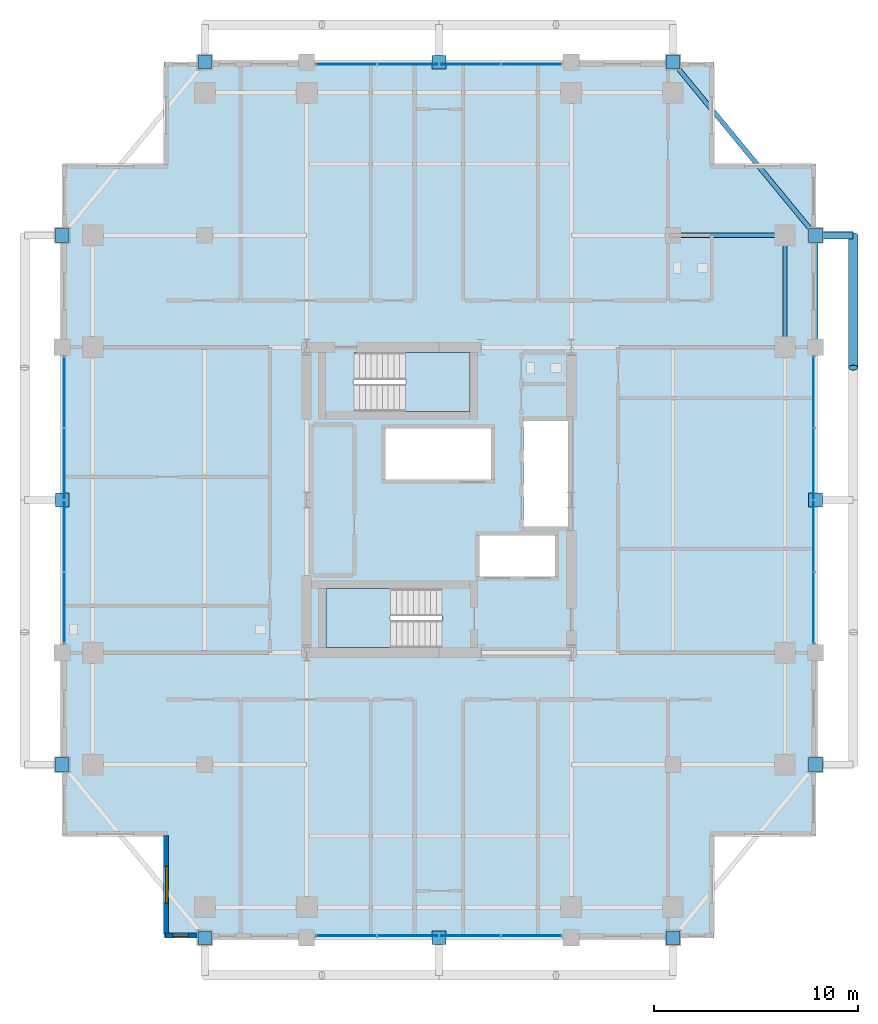
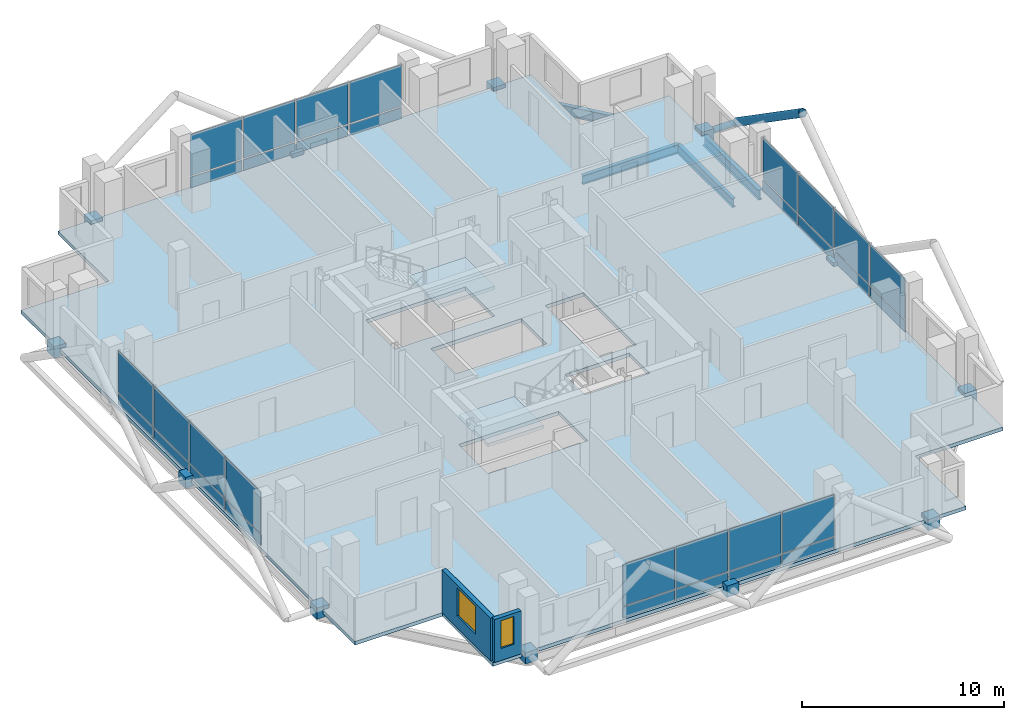
# One storey, part 19 of 25: 44 plates, 4 beams, 3 slabs, 2 members, 2 walls, 2 windows, 2 openings, 6 elements without a shape of their own.
"""IFC4 building model written with IfcOpenShell, lengths in metres."""

import ifcopenshell
import ifcopenshell.guid

model = None  # the IFC model being written
_history = None  # IfcOwnerHistory: only IFC2X3 demands one
_inside = {}  # id of a spatial element -> (the spatial element, [elements in it])
_under = {}  # id of a project, library or spatial element -> (it, [spatial elements below it])
_declared = {}  # id of a project -> (the project, [libraries it declares])
_typed = {}  # id of a type object -> (the type object, [elements of that type])
_made_of = {}  # id of a material, layer set ... -> (it, [elements and type objects made of it])


def new_model(schema):
    """Start an empty IFC model of exactly this schema.

    Asked for "IFC4X3", IfcOpenShell would pick the latest addendum, in which some entities
    have other attributes; the version numbers below select the first issue.
    IFC2X3 requires an IfcOwnerHistory on every rooted entity: one is made here for all.
    """
    global model, _history
    if schema == "IFC4X3":
        model = ifcopenshell.file(schema_version=(4, 3, 0, 0))
    else:
        model = ifcopenshell.file(schema=schema)
    _inside.clear()
    _under.clear()
    _declared.clear()
    _typed.clear()
    _made_of.clear()
    _history = None
    if model.schema == "IFC2X3":
        org = make("IfcOrganization", Name="unknown")
        user = make(
            "IfcPersonAndOrganization",
            ThePerson=make("IfcPerson", FamilyName="unknown"),
            TheOrganization=org,
        )
        app = make(
            "IfcApplication",
            ApplicationDeveloper=org,
            Version="unknown",
            ApplicationFullName="unknown",
            ApplicationIdentifier="unknown",
        )
        _history = make(
            "IfcOwnerHistory",
            OwningUser=user,
            OwningApplication=app,
            ChangeAction="ADDED",
            CreationDate=0,
        )
    return model


def make(cls, **values):
    """One entity of the class cls with the attributes given. An attribute that is None is left unset."""
    return model.create_entity(
        cls, **{name: value for name, value in values.items() if value is not None}
    )


def rooted(cls, **values):
    """An entity with a GlobalId (a new one), such as an element, a storey or a relation."""
    return make(cls, GlobalId=ifcopenshell.guid.new(), OwnerHistory=_history, **values)


def si_unit(unit_type, name, prefix=None):
    """IfcSIUnit, for example si_unit("LENGTHUNIT", "METRE", prefix="MILLI")."""
    return make("IfcSIUnit", UnitType=unit_type, Prefix=prefix, Name=name)


def assignment(units):
    """IfcUnitAssignment: the units of a project."""
    return None if units is None else make("IfcUnitAssignment", Units=units)


def point(xyz):
    """IfcCartesianPoint."""
    return None if xyz is None else make("IfcCartesianPoint", Coordinates=xyz)


def direction(xyz):
    """IfcDirection."""
    return None if xyz is None else make("IfcDirection", DirectionRatios=xyz)


def frame(location, z_axis=None, x_axis=None):
    """IfcAxis2Placement3D, a coordinate frame: its origin and axes. An axis left out is left unset."""
    return make(
        "IfcAxis2Placement3D",
        Location=point(location),
        Axis=direction(z_axis),
        RefDirection=direction(x_axis),
    )


def frame_2d(location, x_axis=None):
    """IfcAxis2Placement2D, a coordinate frame in the plane: its origin and x axis."""
    return make(
        "IfcAxis2Placement2D", Location=point(location), RefDirection=direction(x_axis)
    )


def origin():
    """The frame at (0, 0, 0) with its axes left unset."""
    return frame((0.0, 0.0, 0.0))


def origin_2d():
    """The frame at (0, 0) in the plane with its x axis left unset."""
    return frame_2d((0.0, 0.0))


def place(relative_to, where):
    """IfcLocalPlacement: puts the frame where relative to a parent placement (None: the world)."""
    return make(
        "IfcLocalPlacement", PlacementRelTo=relative_to, RelativePlacement=where
    )


def context(
    kind, dimensions, precision=None, world=None, true_north=None, identifier=None
):
    """IfcGeometricRepresentationContext, for example the 3D "Model" context."""
    return make(
        "IfcGeometricRepresentationContext",
        ContextIdentifier=identifier,
        ContextType=kind,
        CoordinateSpaceDimension=dimensions,
        Precision=precision,
        WorldCoordinateSystem=world,
        TrueNorth=true_north,
    )


def subcontext(parent, identifier, kind, view, scale=None):
    """IfcGeometricRepresentationSubContext, for example "Body" below "Model"."""
    return make(
        "IfcGeometricRepresentationSubContext",
        ContextIdentifier=identifier,
        ContextType=kind,
        ParentContext=parent,
        TargetScale=scale,
        TargetView=view,
    )


def project(units=None, contexts=None):
    """IfcProject with its units and contexts."""
    return rooted(
        "IfcProject",
        Name="project",
        RepresentationContexts=contexts,
        UnitsInContext=assignment(units),
    )


def spatial(cls, under=None, at=None, **own):
    """A site, building, storey or space (cls), placed at a placement, below another one or the project."""
    s = rooted(cls, ObjectPlacement=at, **own)
    if under is not None:
        _under.setdefault(under.id(), (under, []))[1].append(s)
    return s


def polyline(points):
    """IfcPolyline through the points."""
    return make("IfcPolyline", Points=[point(p) for p in points])


def profile(cls, at=None, kind="AREA", **sizes):
    """A parametric profile (cls). Its sizes go by their IFC names, for example OverallWidth=200.0."""
    return make(cls, ProfileType=kind, Position=at, **sizes)


def rectangle(**sizes):
    """IfcRectangleProfileDef."""
    return profile("IfcRectangleProfileDef", **sizes)


def hollow_circle(**sizes):
    """IfcCircleHollowProfileDef."""
    return profile("IfcCircleHollowProfileDef", **sizes)


def i_section(**sizes):
    """IfcIShapeProfileDef."""
    return profile("IfcIShapeProfileDef", **sizes)


def outline(outer, holes=None, kind="AREA"):
    """IfcArbitraryClosedProfileDef: a profile drawn as a closed curve; with holes, ...WithVoids."""
    if holes is None:
        return make("IfcArbitraryClosedProfileDef", ProfileType=kind, OuterCurve=outer)
    return make(
        "IfcArbitraryProfileDefWithVoids",
        ProfileType=kind,
        OuterCurve=outer,
        InnerCurves=holes,
    )


def extrude(swept, where, along, depth):
    """IfcExtrudedAreaSolid: the profile swept, set in the frame where, extruded along a direction by depth."""
    return make(
        "IfcExtrudedAreaSolid",
        SweptArea=swept,
        Position=where,
        ExtrudedDirection=direction(along),
        Depth=depth,
    )


def shape(context_of_items, identifier, shape_type, items):
    """IfcShapeRepresentation: the items that make up one representation, for example the "Body"."""
    return make(
        "IfcShapeRepresentation",
        ContextOfItems=context_of_items,
        RepresentationIdentifier=identifier,
        RepresentationType=shape_type,
        Items=items,
    )


def material(Name=None, Category=None):
    """IfcMaterial."""
    return make("IfcMaterial", Name=Name, Category=Category)


def layer(
    of_material, thickness, ventilated=None, Name=None, Category=None, Priority=None
):
    """IfcMaterialLayer: one layer of a wall or slab, of a material (None: an air gap)."""
    return make(
        "IfcMaterialLayer",
        Material=of_material,
        LayerThickness=thickness,
        IsVentilated=ventilated,
        Name=Name,
        Category=Category,
        Priority=Priority,
    )


def layer_set(layers, Name=None):
    """IfcMaterialLayerSet."""
    return make("IfcMaterialLayerSet", MaterialLayers=layers, LayerSetName=Name)


def material_profile(
    of_material, cross_section, Name=None, Category=None, Priority=None
):
    """IfcMaterialProfile: a cross section and its material."""
    return make(
        "IfcMaterialProfile",
        Name=Name,
        Material=of_material,
        Profile=cross_section,
        Priority=Priority,
        Category=Category,
    )


def profile_set(profiles, Name=None, composite=None):
    """IfcMaterialProfileSet."""
    return make(
        "IfcMaterialProfileSet",
        Name=Name,
        MaterialProfiles=profiles,
        CompositeProfile=composite,
    )


def made_of(thing, what):
    """Note that an element or type object is made of a material, layer set ...; save() writes the relation."""
    if what is not None:
        _made_of.setdefault(what.id(), (what, []))[1].append(thing)
    return thing


def type_object(cls, material=None, **own):
    """A type object (cls), such as IfcWallType, which elements share."""
    return made_of(rooted(cls, **own), material)


def element(
    cls,
    number,
    at=None,
    inside=None,
    cuts=None,
    type_object=None,
    material=None,
    context=None,
    identifier="Body",
    shape_type=None,
    held_by="IfcProductDefinitionShape",
    body=None,
    shapes=None,
    **own,
):
    """One element of the class cls, such as IfcWall. Its Tag is "e" and its number.

    at: its placement. inside: the storey or other place that contains it. cuts: it is an
    opening in that element (IfcRelVoidsElement). A single representation is given by context,
    identifier, shape_type and body (its items); several are given by shapes. held_by: the class
    of the entity that holds the representations. save() writes the other relations.
    """
    e = rooted(cls, Tag="e%d" % number, ObjectPlacement=at, **own)
    if body is not None:
        shapes = [shape(context, identifier, shape_type, body)]
    if shapes is not None:
        e.Representation = make(held_by, Representations=shapes)
    if inside is not None:
        _inside.setdefault(inside.id(), (inside, []))[1].append(e)
    if cuts is not None:
        rooted(
            "IfcRelVoidsElement", RelatingBuildingElement=cuts, RelatedOpeningElement=e
        )
    if type_object is not None:
        _typed.setdefault(type_object.id(), (type_object, []))[1].append(e)
    return made_of(e, material)


def fill(opening, filler):
    """IfcRelFillsElement: the door or window that sits in an opening."""
    return rooted(
        "IfcRelFillsElement",
        RelatingOpeningElement=opening,
        RelatedBuildingElement=filler,
    )


def aggregate(whole, parts):
    """IfcRelAggregates: a whole, such as a stair, and the parts it consists of."""
    return rooted("IfcRelAggregates", RelatingObject=whole, RelatedObjects=parts)


def save(model, path):
    """Write the relations noted so far, then the file.

    IfcRelAggregates (storeys below a building ...), IfcRelContainedInSpatialStructure (elements
    in a storey), IfcRelDefinesByType, IfcRelAssociatesMaterial and IfcRelDeclares: one each for
    every whole, place, type object, material and project.
    """
    for whole, parts in _under.values():
        aggregate(whole, parts)
    for where, things in _inside.values():
        rooted(
            "IfcRelContainedInSpatialStructure",
            RelatedElements=things,
            RelatingStructure=where,
        )
    for kind, things in _typed.values():
        rooted("IfcRelDefinesByType", RelatedObjects=things, RelatingType=kind)
    for what, things in _made_of.values():
        rooted("IfcRelAssociatesMaterial", RelatedObjects=things, RelatingMaterial=what)
    for by, libraries in _declared.values():
        rooted("IfcRelDeclares", RelatingContext=by, RelatedDefinitions=libraries)
    model.write(path)


model = new_model("IFC4")

# Units and contexts
model_context = context("Model", 3, precision=1e-05, world=origin(), true_north=direction((0.0, 1.0)))
body_context = subcontext(model_context, "Body", "Model", "MODEL_VIEW")
ifc_project = project(units=[si_unit("LENGTHUNIT", "METRE"), si_unit("AREAUNIT", "SQUARE_METRE"), si_unit("VOLUMEUNIT", "CUBIC_METRE"), si_unit("PLANEANGLEUNIT", "RADIAN"), si_unit("MASSUNIT", "GRAM", prefix="KILO")], contexts=[model_context])

# Site, building, storey
site_placement = place(None, origin())
site = spatial("IfcSite", under=ifc_project, at=site_placement, CompositionType="ELEMENT")
building_placement = place(site_placement, origin())
building = spatial("IfcBuilding", under=site, at=building_placement, Name="Barlavira Tower and Art Museum", CompositionType="ELEMENT")
storey_placement = place(building_placement, frame((0.0, 0.0, 208.800048828125)))
storey = spatial("IfcBuildingStorey", under=building, at=storey_placement, Name="L54", CompositionType="ELEMENT", Elevation=208.800048828125)

# Members
ifc_material_1 = material(Name="Steel S355", Category="steel")
ifc_material_profile_1 = material_profile(ifc_material_1, hollow_circle(Radius=0.228515625, WallThickness=0.02001953125, at=origin_2d()), Name="CHS 457.0x20.0")
ifc_profile_set_1 = profile_set([ifc_material_profile_1], Name="Steel S355")
member_type_1 = type_object("IfcMemberType", Name="Pale-Metal Exoskeleton Diagrid Tube CHS 457x20 Steel S355", PredefinedType="BRACE", material=ifc_profile_set_1)
member_1_placement = place(storey_placement, frame((20.35009765625, 13.0, -0.1201171875), z_axis=(0.0, -0.822192191644, 0.56920997883), x_axis=(1.0, 0.0, 0.0)))
element("IfcMember", 1, at=member_1_placement, inside=storey, type_object=member_type_1, Name="L54 Exoskeleton Diagrid Tube E", PredefinedType="BRACE", context=body_context, shape_type="SweptSolid", body=[
    extrude(hollow_circle(Radius=0.228515625, WallThickness=0.02001953125, at=origin_2d()), origin(), (0.0, 0.0, 1.0), 7.90576171875),
])
ifc_material_profile_2 = material_profile(ifc_material_1, hollow_circle(Radius=0.177734375, WallThickness=0.01611328125, at=origin_2d()), Name="CHS 355.6x16.0")
ifc_profile_set_2 = profile_set([ifc_material_profile_2], Name="Steel S355")
member_type_2 = type_object("IfcMemberType", Name="Pale-Metal Exoskeleton Tie Strut CHS 356x16 Steel S355", PredefinedType="STRUT", material=ifc_profile_set_2)
member_2_placement = place(storey_placement, frame((20.35009765625, 13.0, -0.1201171875), z_axis=(-1.0, 0.0, 0.0), x_axis=(0.0, -1.0, 0.0)))
element("IfcMember", 2, at=member_2_placement, inside=storey, type_object=member_type_2, Name="L54 Exoskeleton Tie Strut E3", PredefinedType="STRUT", context=body_context, shape_type="SweptSolid", body=[
    extrude(hollow_circle(Radius=0.177734375, WallThickness=0.01611328125, at=origin_2d()), origin(), (0.0, 0.0, 1.0), 1.85009765625),
])

# Beams
ifc_material_profile_3 = material_profile(ifc_material_1, i_section(OverallWidth=0.22998046875, OverallDepth=0.616943359375, WebThickness=0.01318359375, FlangeThickness=0.022216796875, at=origin_2d()), Name="W610x140.0")
ifc_profile_set_3 = profile_set([ifc_material_profile_3], Name="Steel S355")
beam_type_1 = type_object("IfcBeamType", Name="Upper Shaft Spandrel Edge Beam W610x140 Steel S355", PredefinedType="SPANDREL", material=ifc_profile_set_3)
beam_1_placement = place(storey_placement, frame((18.5, 7.5, -0.528564453125), z_axis=(0.0, 1.0, 0.0), x_axis=(-1.0, 0.0, 0.0)))
element("IfcBeam", 3, at=beam_1_placement, inside=storey, type_object=beam_type_1, Name="L54 Spandrel 7", PredefinedType="SPANDREL", context=body_context, shape_type="SweptSolid", body=[
    extrude(i_section(OverallWidth=0.22998046875, OverallDepth=0.616943359375, WebThickness=0.01318359375, FlangeThickness=0.022216796875, at=origin_2d()), origin(), (0.0, 0.0, 1.0), 5.5),
])
beam_2_placement = place(storey_placement, frame((18.5, 13.0, -0.528564453125), z_axis=(-0.635707252861, 0.771930235617, 0.0), x_axis=(-0.771930235617, -0.635707252861, 0.0)))
element("IfcBeam", 4, at=beam_2_placement, inside=storey, type_object=beam_type_1, Name="L54 Spandrel 8", PredefinedType="SPANDREL", context=body_context, shape_type="SweptSolid", body=[
    extrude(i_section(OverallWidth=0.22998046875, OverallDepth=0.616943359375, WebThickness=0.01318359375, FlangeThickness=0.022216796875, at=origin_2d()), origin(), (0.0, 0.0, 1.0), 11.011474609375),
])
ifc_material_profile_4 = material_profile(ifc_material_1, i_section(OverallWidth=0.2109375, OverallDepth=0.5390625, WebThickness=0.01171875, FlangeThickness=0.018798828125, at=origin_2d()), Name="W530x109.0")
ifc_profile_set_4 = profile_set([ifc_material_profile_4], Name="Steel S355")
beam_type_2 = type_object("IfcBeamType", Name="Zone 3-4 Primary Floor Girder W530x109 Steel S355", PredefinedType="BEAM", material=ifc_profile_set_4)
for number, where, z_axis, x_axis, name in (
    (5, (17.0, 7.5, -0.489501953125), (0.0, 1.0, 0.0), (-1.0, 0.0, 0.0), "L54 Girder M-E3"),
    (6, (11.5, 13.0, -0.489501953125), (1.0, 0.0, 0.0), (0.0, 1.0, 0.0), "L54 Girder I-N4"),
):
    element("IfcBeam", number, at=place(storey_placement, frame(where, z_axis=z_axis, x_axis=x_axis)), inside=storey, type_object=beam_type_2, Name=name, PredefinedType="BEAM", context=body_context, shape_type="SweptSolid", body=[
        extrude(i_section(OverallWidth=0.2109375, OverallDepth=0.5390625, WebThickness=0.01171875, FlangeThickness=0.018798828125, at=origin_2d()), origin(), (0.0, 0.0, 1.0), 5.5),
    ])

# Curtain wall, plates
ifc_material_2 = material(Name="Low-iron coastal laminated glass", Category="glass")
ifc_layer_1 = layer(ifc_material_2, 0.199951171875, Name="Low-iron coastal laminated glass")
ifc_layer_set_1 = layer_set([ifc_layer_1], Name="Low-iron coastal laminated glass")
curtain_wall_type = type_object("IfcCurtainWallType", Name="Pale-Metal Unitised Curtain Wall Zone 3", PredefinedType="NOTDEFINED", material=ifc_layer_set_1)
curtain_wall_1_placement = place(storey_placement, origin())
curtain_wall_1 = element("IfcCurtainWall", 7, at=curtain_wall_1_placement, inside=storey, type_object=curtain_wall_type, Name="L54 Curtain Wall CW3-L54-S-B3", PredefinedType="NOTDEFINED")
ifc_material_3 = material(Name="Pale anodised aluminium", Category="aluminium")
ifc_layer_2 = layer(ifc_material_3, 0.044921875, Name="Pale anodised aluminium")
ifc_layer_set_2 = layer_set([ifc_layer_2], Name="Pale anodised aluminium")
plate_type_1 = type_object("IfcPlateType", Name="Curtain Wall Pale-Metal Spandrel Panel 45", PredefinedType="CURTAIN_PANEL", material=ifc_layer_set_2)
plate_1_placement = place(storey_placement, frame((-4.56005859375, -21.39990234375, 0.0400390625), z_axis=(0.0, 0.0, 1.0), x_axis=(1.0, 0.0, 0.0)))
plate_1 = element("IfcPlate", 8, at=plate_1_placement, type_object=plate_type_1, Name="CW3-L54-S-B3 Spandrel Panel 0", PredefinedType="CURTAIN_PANEL", context=body_context, shape_type="SweptSolid", body=[
    extrude(rectangle(XDim=2.93994140625, YDim=0.044921875, at=origin_2d()), origin(), (0.0, 0.0, 1.0), 0.64599609375),
])
plate_2_placement = place(storey_placement, frame((-1.52001953125, -21.39990234375, 0.0400390625), z_axis=(0.0, 0.0, 1.0), x_axis=(1.0, 0.0, 0.0)))
plate_2 = element("IfcPlate", 9, at=plate_2_placement, type_object=plate_type_1, Name="CW3-L54-S-B3 Spandrel Panel 1", PredefinedType="CURTAIN_PANEL", context=body_context, shape_type="SweptSolid", body=[
    extrude(rectangle(XDim=2.93994140625, YDim=0.044921875, at=origin_2d()), origin(), (0.0, 0.0, 1.0), 0.64599609375),
])
plate_3_placement = place(storey_placement, frame((1.52001953125, -21.39990234375, 0.0400390625), z_axis=(0.0, 0.0, 1.0), x_axis=(1.0, 0.0, 0.0)))
plate_3 = element("IfcPlate", 10, at=plate_3_placement, type_object=plate_type_1, Name="CW3-L54-S-B3 Spandrel Panel 2", PredefinedType="CURTAIN_PANEL", context=body_context, shape_type="SweptSolid", body=[
    extrude(rectangle(XDim=2.93994140625, YDim=0.044921875, at=origin_2d()), origin(), (0.0, 0.0, 1.0), 0.64599609375),
])
plate_4_placement = place(storey_placement, frame((4.56005859375, -21.39990234375, 0.0400390625), z_axis=(0.0, 0.0, 1.0), x_axis=(1.0, 0.0, 0.0)))
plate_4 = element("IfcPlate", 11, at=plate_4_placement, type_object=plate_type_1, Name="CW3-L54-S-B3 Spandrel Panel 3", PredefinedType="CURTAIN_PANEL", context=body_context, shape_type="SweptSolid", body=[
    extrude(rectangle(XDim=2.93994140625, YDim=0.044921875, at=origin_2d()), origin(), (0.0, 0.0, 1.0), 0.64599609375),
])

curtain_wall_2_placement = place(storey_placement, origin())
curtain_wall_2 = element("IfcCurtainWall", 12, at=curtain_wall_2_placement, inside=storey, type_object=curtain_wall_type, Name="L54 Curtain Wall CW3-L54-N-B3", PredefinedType="NOTDEFINED")
plate_5_placement = place(storey_placement, frame((4.56005859375, 21.39990234375, 0.0400390625), z_axis=(0.0, 0.0, 1.0), x_axis=(-1.0, 0.0, 0.0)))
plate_5 = element("IfcPlate", 13, at=plate_5_placement, type_object=plate_type_1, Name="CW3-L54-N-B3 Spandrel Panel 0", PredefinedType="CURTAIN_PANEL", context=body_context, shape_type="SweptSolid", body=[
    extrude(rectangle(XDim=2.93994140625, YDim=0.044921875, at=origin_2d()), origin(), (0.0, 0.0, 1.0), 0.64599609375),
])
plate_6_placement = place(storey_placement, frame((1.52001953125, 21.39990234375, 0.0400390625), z_axis=(0.0, 0.0, 1.0), x_axis=(-1.0, 0.0, 0.0)))
plate_6 = element("IfcPlate", 14, at=plate_6_placement, type_object=plate_type_1, Name="CW3-L54-N-B3 Spandrel Panel 1", PredefinedType="CURTAIN_PANEL", context=body_context, shape_type="SweptSolid", body=[
    extrude(rectangle(XDim=2.93994140625, YDim=0.044921875, at=origin_2d()), origin(), (0.0, 0.0, 1.0), 0.64599609375),
])
plate_7_placement = place(storey_placement, frame((-1.52001953125, 21.39990234375, 0.0400390625), z_axis=(0.0, 0.0, 1.0), x_axis=(-1.0, 0.0, 0.0)))
plate_7 = element("IfcPlate", 15, at=plate_7_placement, type_object=plate_type_1, Name="CW3-L54-N-B3 Spandrel Panel 2", PredefinedType="CURTAIN_PANEL", context=body_context, shape_type="SweptSolid", body=[
    extrude(rectangle(XDim=2.93994140625, YDim=0.044921875, at=origin_2d()), origin(), (0.0, 0.0, 1.0), 0.64599609375),
])
plate_8_placement = place(storey_placement, frame((-4.56005859375, 21.39990234375, 0.0400390625), z_axis=(0.0, 0.0, 1.0), x_axis=(-1.0, 0.0, 0.0)))
plate_8 = element("IfcPlate", 16, at=plate_8_placement, type_object=plate_type_1, Name="CW3-L54-N-B3 Spandrel Panel 3", PredefinedType="CURTAIN_PANEL", context=body_context, shape_type="SweptSolid", body=[
    extrude(rectangle(XDim=2.93994140625, YDim=0.044921875, at=origin_2d()), origin(), (0.0, 0.0, 1.0), 0.64599609375),
])

curtain_wall_3_placement = place(storey_placement, origin())
curtain_wall_3 = element("IfcCurtainWall", 17, at=curtain_wall_3_placement, inside=storey, type_object=curtain_wall_type, Name="L54 Curtain Wall CW3-L54-W-B3", PredefinedType="NOTDEFINED")
plate_9_placement = place(storey_placement, frame((-18.39990234375, 5.31005859375, 0.0400390625), z_axis=(0.0, 0.0, 1.0), x_axis=(0.0, -1.0, 0.0)))
plate_9 = element("IfcPlate", 18, at=plate_9_placement, type_object=plate_type_1, Name="CW3-L54-W-B3 Spandrel Panel 0", PredefinedType="CURTAIN_PANEL", context=body_context, shape_type="SweptSolid", body=[
    extrude(rectangle(XDim=3.43994140625, YDim=0.044921875, at=origin_2d()), origin(), (0.0, 0.0, 1.0), 0.64599609375),
])
plate_10_placement = place(storey_placement, frame((-18.39990234375, 1.77001953125, 0.0400390625), z_axis=(0.0, 0.0, 1.0), x_axis=(0.0, -1.0, 0.0)))
plate_10 = element("IfcPlate", 19, at=plate_10_placement, type_object=plate_type_1, Name="CW3-L54-W-B3 Spandrel Panel 1", PredefinedType="CURTAIN_PANEL", context=body_context, shape_type="SweptSolid", body=[
    extrude(rectangle(XDim=3.43994140625, YDim=0.044921875, at=origin_2d()), origin(), (0.0, 0.0, 1.0), 0.64599609375),
])
plate_11_placement = place(storey_placement, frame((-18.39990234375, -1.77001953125, 0.0400390625), z_axis=(0.0, 0.0, 1.0), x_axis=(0.0, -1.0, 0.0)))
plate_11 = element("IfcPlate", 20, at=plate_11_placement, type_object=plate_type_1, Name="CW3-L54-W-B3 Spandrel Panel 2", PredefinedType="CURTAIN_PANEL", context=body_context, shape_type="SweptSolid", body=[
    extrude(rectangle(XDim=3.43994140625, YDim=0.044921875, at=origin_2d()), origin(), (0.0, 0.0, 1.0), 0.64599609375),
])
plate_12_placement = place(storey_placement, frame((-18.39990234375, -5.31005859375, 0.0400390625), z_axis=(0.0, 0.0, 1.0), x_axis=(0.0, -1.0, 0.0)))
plate_12 = element("IfcPlate", 21, at=plate_12_placement, type_object=plate_type_1, Name="CW3-L54-W-B3 Spandrel Panel 3", PredefinedType="CURTAIN_PANEL", context=body_context, shape_type="SweptSolid", body=[
    extrude(rectangle(XDim=3.43994140625, YDim=0.044921875, at=origin_2d()), origin(), (0.0, 0.0, 1.0), 0.64599609375),
])

curtain_wall_4_placement = place(storey_placement, origin())
curtain_wall_4 = element("IfcCurtainWall", 22, at=curtain_wall_4_placement, inside=storey, type_object=curtain_wall_type, Name="L54 Curtain Wall CW3-L54-E-B3", PredefinedType="NOTDEFINED")
plate_13_placement = place(storey_placement, frame((18.39990234375, -5.31005859375, 0.0400390625), z_axis=(0.0, 0.0, 1.0), x_axis=(0.0, 1.0, 0.0)))
plate_13 = element("IfcPlate", 23, at=plate_13_placement, type_object=plate_type_1, Name="CW3-L54-E-B3 Spandrel Panel 0", PredefinedType="CURTAIN_PANEL", context=body_context, shape_type="SweptSolid", body=[
    extrude(rectangle(XDim=3.43994140625, YDim=0.044921875, at=origin_2d()), origin(), (0.0, 0.0, 1.0), 0.64599609375),
])
plate_14_placement = place(storey_placement, frame((18.39990234375, -1.77001953125, 0.0400390625), z_axis=(0.0, 0.0, 1.0), x_axis=(0.0, 1.0, 0.0)))
plate_14 = element("IfcPlate", 24, at=plate_14_placement, type_object=plate_type_1, Name="CW3-L54-E-B3 Spandrel Panel 1", PredefinedType="CURTAIN_PANEL", context=body_context, shape_type="SweptSolid", body=[
    extrude(rectangle(XDim=3.43994140625, YDim=0.044921875, at=origin_2d()), origin(), (0.0, 0.0, 1.0), 0.64599609375),
])
plate_15_placement = place(storey_placement, frame((18.39990234375, 1.77001953125, 0.0400390625), z_axis=(0.0, 0.0, 1.0), x_axis=(0.0, 1.0, 0.0)))
plate_15 = element("IfcPlate", 25, at=plate_15_placement, type_object=plate_type_1, Name="CW3-L54-E-B3 Spandrel Panel 2", PredefinedType="CURTAIN_PANEL", context=body_context, shape_type="SweptSolid", body=[
    extrude(rectangle(XDim=3.43994140625, YDim=0.044921875, at=origin_2d()), origin(), (0.0, 0.0, 1.0), 0.64599609375),
])
plate_16_placement = place(storey_placement, frame((18.39990234375, 5.31005859375, 0.0400390625), z_axis=(0.0, 0.0, 1.0), x_axis=(0.0, 1.0, 0.0)))
plate_16 = element("IfcPlate", 26, at=plate_16_placement, type_object=plate_type_1, Name="CW3-L54-E-B3 Spandrel Panel 3", PredefinedType="CURTAIN_PANEL", context=body_context, shape_type="SweptSolid", body=[
    extrude(rectangle(XDim=3.43994140625, YDim=0.044921875, at=origin_2d()), origin(), (0.0, 0.0, 1.0), 0.64599609375),
])

# Plate
ifc_layer_3 = layer(ifc_material_2, 0.028076171875, Name="Low-iron coastal laminated glass")
ifc_layer_set_3 = layer_set([ifc_layer_3], Name="Low-iron coastal laminated glass")
plate_type_2 = type_object("IfcPlateType", Name="Curtain Wall Vision Glazing Panel 28", PredefinedType="CURTAIN_PANEL", material=ifc_layer_set_3)
plate_17_placement = place(storey_placement, frame((-4.56005859375, -21.39990234375, 0.76611328125), z_axis=(0.0, 0.0, 1.0), x_axis=(1.0, 0.0, 0.0)))
plate_17 = element("IfcPlate", 27, at=plate_17_placement, type_object=plate_type_2, Name="CW3-L54-S-B3 Vision Glass Panel 0", PredefinedType="CURTAIN_PANEL", context=body_context, shape_type="SweptSolid", body=[
    extrude(rectangle(XDim=2.93994140625, YDim=0.028076171875, at=origin_2d()), origin(), (0.0, 0.0, 1.0), 2.493896484375),
])

plate_18_placement = place(storey_placement, frame((-1.52001953125, -21.39990234375, 0.76611328125), z_axis=(0.0, 0.0, 1.0), x_axis=(1.0, 0.0, 0.0)))
plate_18 = element("IfcPlate", 28, at=plate_18_placement, type_object=plate_type_2, Name="CW3-L54-S-B3 Vision Glass Panel 1", PredefinedType="CURTAIN_PANEL", context=body_context, shape_type="SweptSolid", body=[
    extrude(rectangle(XDim=2.93994140625, YDim=0.028076171875, at=origin_2d()), origin(), (0.0, 0.0, 1.0), 2.493896484375),
])

plate_19_placement = place(storey_placement, frame((1.52001953125, -21.39990234375, 0.76611328125), z_axis=(0.0, 0.0, 1.0), x_axis=(1.0, 0.0, 0.0)))
plate_19 = element("IfcPlate", 29, at=plate_19_placement, type_object=plate_type_2, Name="CW3-L54-S-B3 Vision Glass Panel 2", PredefinedType="CURTAIN_PANEL", context=body_context, shape_type="SweptSolid", body=[
    extrude(rectangle(XDim=2.93994140625, YDim=0.028076171875, at=origin_2d()), origin(), (0.0, 0.0, 1.0), 2.493896484375),
])

plate_20_placement = place(storey_placement, frame((4.56005859375, -21.39990234375, 0.76611328125), z_axis=(0.0, 0.0, 1.0), x_axis=(1.0, 0.0, 0.0)))
plate_20 = element("IfcPlate", 30, at=plate_20_placement, type_object=plate_type_2, Name="CW3-L54-S-B3 Vision Glass Panel 3", PredefinedType="CURTAIN_PANEL", context=body_context, shape_type="SweptSolid", body=[
    extrude(rectangle(XDim=2.93994140625, YDim=0.028076171875, at=origin_2d()), origin(), (0.0, 0.0, 1.0), 2.493896484375),
])

aggregate(curtain_wall_1, [plate_1, plate_17, plate_2, plate_18, plate_3, plate_19, plate_4, plate_20])

plate_21_placement = place(storey_placement, frame((4.56005859375, 21.39990234375, 0.76611328125), z_axis=(0.0, 0.0, 1.0), x_axis=(-1.0, 0.0, 0.0)))
plate_21 = element("IfcPlate", 31, at=plate_21_placement, type_object=plate_type_2, Name="CW3-L54-N-B3 Vision Glass Panel 0", PredefinedType="CURTAIN_PANEL", context=body_context, shape_type="SweptSolid", body=[
    extrude(rectangle(XDim=2.93994140625, YDim=0.028076171875, at=origin_2d()), origin(), (0.0, 0.0, 1.0), 2.493896484375),
])

plate_22_placement = place(storey_placement, frame((1.52001953125, 21.39990234375, 0.76611328125), z_axis=(0.0, 0.0, 1.0), x_axis=(-1.0, 0.0, 0.0)))
plate_22 = element("IfcPlate", 32, at=plate_22_placement, type_object=plate_type_2, Name="CW3-L54-N-B3 Vision Glass Panel 1", PredefinedType="CURTAIN_PANEL", context=body_context, shape_type="SweptSolid", body=[
    extrude(rectangle(XDim=2.93994140625, YDim=0.028076171875, at=origin_2d()), origin(), (0.0, 0.0, 1.0), 2.493896484375),
])

plate_23_placement = place(storey_placement, frame((-1.52001953125, 21.39990234375, 0.76611328125), z_axis=(0.0, 0.0, 1.0), x_axis=(-1.0, 0.0, 0.0)))
plate_23 = element("IfcPlate", 33, at=plate_23_placement, type_object=plate_type_2, Name="CW3-L54-N-B3 Vision Glass Panel 2", PredefinedType="CURTAIN_PANEL", context=body_context, shape_type="SweptSolid", body=[
    extrude(rectangle(XDim=2.93994140625, YDim=0.028076171875, at=origin_2d()), origin(), (0.0, 0.0, 1.0), 2.493896484375),
])

plate_24_placement = place(storey_placement, frame((-4.56005859375, 21.39990234375, 0.76611328125), z_axis=(0.0, 0.0, 1.0), x_axis=(-1.0, 0.0, 0.0)))
plate_24 = element("IfcPlate", 34, at=plate_24_placement, type_object=plate_type_2, Name="CW3-L54-N-B3 Vision Glass Panel 3", PredefinedType="CURTAIN_PANEL", context=body_context, shape_type="SweptSolid", body=[
    extrude(rectangle(XDim=2.93994140625, YDim=0.028076171875, at=origin_2d()), origin(), (0.0, 0.0, 1.0), 2.493896484375),
])

aggregate(curtain_wall_2, [plate_5, plate_21, plate_6, plate_22, plate_7, plate_23, plate_8, plate_24])

plate_25_placement = place(storey_placement, frame((-18.39990234375, 5.31005859375, 0.76611328125), z_axis=(0.0, 0.0, 1.0), x_axis=(0.0, -1.0, 0.0)))
plate_25 = element("IfcPlate", 35, at=plate_25_placement, type_object=plate_type_2, Name="CW3-L54-W-B3 Vision Glass Panel 0", PredefinedType="CURTAIN_PANEL", context=body_context, shape_type="SweptSolid", body=[
    extrude(rectangle(XDim=3.43994140625, YDim=0.028076171875, at=origin_2d()), origin(), (0.0, 0.0, 1.0), 2.493896484375),
])

plate_26_placement = place(storey_placement, frame((-18.39990234375, 1.77001953125, 0.76611328125), z_axis=(0.0, 0.0, 1.0), x_axis=(0.0, -1.0, 0.0)))
plate_26 = element("IfcPlate", 36, at=plate_26_placement, type_object=plate_type_2, Name="CW3-L54-W-B3 Vision Glass Panel 1", PredefinedType="CURTAIN_PANEL", context=body_context, shape_type="SweptSolid", body=[
    extrude(rectangle(XDim=3.43994140625, YDim=0.028076171875, at=origin_2d()), origin(), (0.0, 0.0, 1.0), 2.493896484375),
])

plate_27_placement = place(storey_placement, frame((-18.39990234375, -1.77001953125, 0.76611328125), z_axis=(0.0, 0.0, 1.0), x_axis=(0.0, -1.0, 0.0)))
plate_27 = element("IfcPlate", 37, at=plate_27_placement, type_object=plate_type_2, Name="CW3-L54-W-B3 Vision Glass Panel 2", PredefinedType="CURTAIN_PANEL", context=body_context, shape_type="SweptSolid", body=[
    extrude(rectangle(XDim=3.43994140625, YDim=0.028076171875, at=origin_2d()), origin(), (0.0, 0.0, 1.0), 2.493896484375),
])

plate_28_placement = place(storey_placement, frame((-18.39990234375, -5.31005859375, 0.76611328125), z_axis=(0.0, 0.0, 1.0), x_axis=(0.0, -1.0, 0.0)))
plate_28 = element("IfcPlate", 38, at=plate_28_placement, type_object=plate_type_2, Name="CW3-L54-W-B3 Vision Glass Panel 3", PredefinedType="CURTAIN_PANEL", context=body_context, shape_type="SweptSolid", body=[
    extrude(rectangle(XDim=3.43994140625, YDim=0.028076171875, at=origin_2d()), origin(), (0.0, 0.0, 1.0), 2.493896484375),
])

aggregate(curtain_wall_3, [plate_9, plate_25, plate_10, plate_26, plate_11, plate_27, plate_12, plate_28])

plate_29_placement = place(storey_placement, frame((18.39990234375, -5.31005859375, 0.76611328125), z_axis=(0.0, 0.0, 1.0), x_axis=(0.0, 1.0, 0.0)))
plate_29 = element("IfcPlate", 39, at=plate_29_placement, type_object=plate_type_2, Name="CW3-L54-E-B3 Vision Glass Panel 0", PredefinedType="CURTAIN_PANEL", context=body_context, shape_type="SweptSolid", body=[
    extrude(rectangle(XDim=3.43994140625, YDim=0.028076171875, at=origin_2d()), origin(), (0.0, 0.0, 1.0), 2.493896484375),
])

plate_30_placement = place(storey_placement, frame((18.39990234375, -1.77001953125, 0.76611328125), z_axis=(0.0, 0.0, 1.0), x_axis=(0.0, 1.0, 0.0)))
plate_30 = element("IfcPlate", 40, at=plate_30_placement, type_object=plate_type_2, Name="CW3-L54-E-B3 Vision Glass Panel 1", PredefinedType="CURTAIN_PANEL", context=body_context, shape_type="SweptSolid", body=[
    extrude(rectangle(XDim=3.43994140625, YDim=0.028076171875, at=origin_2d()), origin(), (0.0, 0.0, 1.0), 2.493896484375),
])

plate_31_placement = place(storey_placement, frame((18.39990234375, 1.77001953125, 0.76611328125), z_axis=(0.0, 0.0, 1.0), x_axis=(0.0, 1.0, 0.0)))
plate_31 = element("IfcPlate", 41, at=plate_31_placement, type_object=plate_type_2, Name="CW3-L54-E-B3 Vision Glass Panel 2", PredefinedType="CURTAIN_PANEL", context=body_context, shape_type="SweptSolid", body=[
    extrude(rectangle(XDim=3.43994140625, YDim=0.028076171875, at=origin_2d()), origin(), (0.0, 0.0, 1.0), 2.493896484375),
])

plate_32_placement = place(storey_placement, frame((18.39990234375, 5.31005859375, 0.76611328125), z_axis=(0.0, 0.0, 1.0), x_axis=(0.0, 1.0, 0.0)))
plate_32 = element("IfcPlate", 42, at=plate_32_placement, type_object=plate_type_2, Name="CW3-L54-E-B3 Vision Glass Panel 3", PredefinedType="CURTAIN_PANEL", context=body_context, shape_type="SweptSolid", body=[
    extrude(rectangle(XDim=3.43994140625, YDim=0.028076171875, at=origin_2d()), origin(), (0.0, 0.0, 1.0), 2.493896484375),
])

aggregate(curtain_wall_4, [plate_13, plate_29, plate_14, plate_30, plate_15, plate_31, plate_16, plate_32])

# Plates
ifc_layer_4 = layer(ifc_material_1, 0.679931640625, Name="Steel S355")
ifc_layer_set_4 = layer_set([ifc_layer_4], Name="Steel S355")
plate_type_3 = type_object("IfcPlateType", Name="Exoskeleton Tie-Back Solid Cap Plate Assembly Type 5 Steel S355", PredefinedType="USERDEFINED", material=ifc_layer_set_4)
for number, where, z_axis, x_axis, name in (
    (43, (-11.5, -21.5, -0.4599609375), (0.0, 0.0, 1.0), (1.0, 0.0, 0.0), "Slab Edge Tie Cap Plate S1 ND-L54-0586"),
    (44, (0.0, -21.5, -0.4599609375), (0.0, 0.0, 1.0), (1.0, 0.0, 0.0), "Slab Edge Tie Cap Plate S2 ND-L54-0587"),
    (45, (11.5, -21.5, -0.4599609375), (0.0, 0.0, 1.0), (1.0, 0.0, 0.0), "Slab Edge Tie Cap Plate S3 ND-L54-0588"),
    (46, (-11.5, 21.5, -0.4599609375), (0.0, 0.0, 1.0), (1.0, 0.0, 0.0), "Slab Edge Tie Cap Plate N1 ND-L54-0597"),
    (47, (0.0, 21.5, -0.4599609375), (0.0, 0.0, 1.0), (1.0, 0.0, 0.0), "Slab Edge Tie Cap Plate N2 ND-L54-0598"),
    (48, (11.5, 21.5, -0.4599609375), (0.0, 0.0, 1.0), (1.0, 0.0, 0.0), "Slab Edge Tie Cap Plate N3 ND-L54-0599"),
    (49, (-18.5, -13.0, -0.4599609375), (0.0, 0.0, 1.0), (1.0, 0.0, 0.0), "Slab Edge Tie Cap Plate W1 ND-L54-0608"),
    (50, (-18.5, 0.0, -0.4599609375), (0.0, 0.0, 1.0), (1.0, 0.0, 0.0), "Slab Edge Tie Cap Plate W2 ND-L54-0609"),
    (51, (-18.5, 13.0, -0.4599609375), (0.0, 0.0, 1.0), (1.0, 0.0, 0.0), "Slab Edge Tie Cap Plate W3 ND-L54-0610"),
    (52, (18.5, -13.0, -0.4599609375), (0.0, 0.0, 1.0), (1.0, 0.0, 0.0), "Slab Edge Tie Cap Plate E1 ND-L54-0619"),
    (53, (18.5, 0.0, -0.4599609375), (0.0, 0.0, 1.0), (1.0, 0.0, 0.0), "Slab Edge Tie Cap Plate E2 ND-L54-0620"),
    (54, (18.5, 13.0, -0.4599609375), (0.0, 0.0, 1.0), (1.0, 0.0, 0.0), "Slab Edge Tie Cap Plate E3 ND-L54-0621"),
):
    element("IfcPlate", number, at=place(storey_placement, frame(where, z_axis=z_axis, x_axis=x_axis)), inside=storey, type_object=plate_type_3, Name=name, ObjectType="FLANGE_PLATE", PredefinedType="USERDEFINED", context=body_context, shape_type="SweptSolid", body=[
        extrude(rectangle(XDim=0.679931640625, YDim=0.679931640625, at=origin_2d()), origin(), (0.0, 0.0, 1.0), 0.679931640625),
    ])

# Stair, slab
ifc_material_4 = material(Name="Concrete C45", Category="concrete")
stair_type_1 = type_object("IfcStairType", Name="Tower North Dog-Leg Exit Stair Assembly Concrete C45", PredefinedType="TWO_QUARTER_TURN_STAIR", material=ifc_material_4)
stair_1_placement = place(storey_placement, origin())
stair_1 = element("IfcStair", 55, at=stair_1_placement, inside=storey, type_object=stair_type_1, Name="L54 Tower North Exit Stair ST-T2", PredefinedType="TWO_QUARTER_TURN_STAIR")
ifc_layer_5 = layer(ifc_material_4, 0.199951171875, Name="Concrete C45")
ifc_layer_set_5 = layer_set([ifc_layer_5], Name="Concrete C45")
slab_type_1 = type_object("IfcSlabType", Name="Tower North Dog-Leg Exit Stair Half-Landing Slab 200 Concrete C45", PredefinedType="LANDING", material=ifc_layer_set_5)
slab_1_placement = place(storey_placement, frame((0.0, 0.0, 1.599853515625)))
slab_1 = element("IfcSlab", 56, at=slab_1_placement, type_object=slab_type_1, Name="ST-T2 landing 1", PredefinedType="LANDING", context=body_context, shape_type="SweptSolid", body=[
    extrude(outline(polyline([(-1.64990234375, 4.35009765625), (1.530029296875, 4.35009765625), (1.530029296875, 7.25), (-1.64990234375, 7.25), (-1.64990234375, 4.35009765625)])), origin(), (0.0, 0.0, 1.0), 0.2001953125),
])
aggregate(stair_1, [slab_1])

stair_type_2 = type_object("IfcStairType", Name="Tower South Dog-Leg Exit Stair Assembly Concrete C45", PredefinedType="TWO_QUARTER_TURN_STAIR", material=ifc_material_4)
stair_2_placement = place(storey_placement, origin())
stair_2 = element("IfcStair", 57, at=stair_2_placement, inside=storey, type_object=stair_type_2, Name="L54 Tower South Exit Stair ST-T1", PredefinedType="TWO_QUARTER_TURN_STAIR")
ifc_layer_6 = layer(ifc_material_4, 0.199951171875, Name="Concrete C45")
ifc_layer_set_6 = layer_set([ifc_layer_6], Name="Concrete C45")
slab_type_2 = type_object("IfcSlabType", Name="Tower South Dog-Leg Exit Stair Half-Landing Slab 200 Concrete C45", PredefinedType="LANDING", material=ifc_layer_set_6)
slab_2_placement = place(storey_placement, frame((0.0, 0.0, 1.599853515625)))
slab_2 = element("IfcSlab", 58, at=slab_2_placement, type_object=slab_type_2, Name="ST-T1 landing 1", PredefinedType="LANDING", context=body_context, shape_type="SweptSolid", body=[
    extrude(outline(polyline([(-2.3701171875, -4.35009765625), (-5.550048828125, -4.35009765625), (-5.550048828125, -7.25), (-2.3701171875, -7.25), (-2.3701171875, -4.35009765625)])), origin(), (0.0, 0.0, 1.0), 0.2001953125),
])
aggregate(stair_2, [slab_2])

# Slab
ifc_material_5 = material(Name="Concrete C50", Category="concrete")
ifc_layer_7 = layer(ifc_material_5, 0.199951171875, Name="Concrete C50")
ifc_layer_set_7 = layer_set([ifc_layer_7], Name="Concrete C50")
slab_type_3 = type_object("IfcSlabType", Name="Zone 3 Residential Composite Slab 200 Concrete C50", PredefinedType="FLOOR", material=ifc_layer_set_7)
slab_3_placement = place(storey_placement, frame((0.0, 0.0, -0.219970703125)))
element("IfcSlab", 59, at=slab_3_placement, inside=storey, type_object=slab_type_3, Name="L54 Tower Floor Slab", PredefinedType="FLOOR", context=body_context, shape_type="SweptSolid", body=[
    extrude(outline(polyline([(-13.5, -21.5), (13.5, -21.5), (13.5, -16.5), (18.5, -16.5), (18.5, 16.5), (13.5, 16.5), (13.5, 21.5), (-13.5, 21.5), (-13.5, 16.5), (-18.5, 16.5), (-18.5, -16.5), (-13.5, -16.5), (-13.5, -21.5)]), holes=[polyline([(0.14990234375, -4.35009765625), (-5.550048828125, -4.35009765625), (-5.550048828125, -7.25), (0.14990234375, -7.25), (0.14990234375, -4.35009765625)]), polyline([(-4.169921875, 4.35009765625), (1.530029296875, 4.35009765625), (1.530029296875, 7.25), (-4.169921875, 7.25), (-4.169921875, 4.35009765625)]), polyline([(4.14990234375, -1.2900390625), (6.35009765625, -1.2900390625), (6.35009765625, 3.889892578125), (4.14990234375, 3.889892578125), (4.14990234375, -1.2900390625)]), polyline([(-2.6201171875, 1.0), (2.56005859375, 1.0), (2.56005859375, 3.5), (-2.6201171875, 3.5), (-2.6201171875, 1.0)]), polyline([(2.0, -3.75), (5.699951171875, -3.75), (5.699951171875, -1.75), (2.0, -1.75), (2.0, -3.75)])]), origin(), (0.0, 0.0, 1.0), 0.219970703125),
])

# Wall, opening, window
ifc_material_6 = material(Name="Precast concrete C40", Category="concrete")
ifc_layer_8 = layer(ifc_material_6, 0.25, Name="Precast concrete C40")
ifc_layer_set_8 = layer_set([ifc_layer_8], Name="Precast concrete C40")
wall_type = type_object("IfcWallType", Name="Notched Corner Spandrel Wall 250 Precast Concrete C40", PredefinedType="SOLIDWALL", material=ifc_layer_set_8)
wall_1_placement = place(storey_placement, frame((-13.425048828125, -21.39990234375, 0.0), z_axis=(0.0, 0.0, 1.0), x_axis=(1.0, 0.0, 0.0)))
wall_1 = element("IfcWall", 60, at=wall_1_placement, inside=storey, type_object=wall_type, Name="L54 Coastal Facade Pier Wall CW3-L54-S-1", PredefinedType="SOLIDWALL", context=body_context, shape_type="SweptSolid", body=[
    extrude(rectangle(XDim=1.530029296875, YDim=0.25, at=frame_2d((0.76513671875, 0.0))), origin(), (0.0, 0.0, 1.0), 2.58984375),
])
opening_1_placement = place(wall_1_placement, frame((0.363037109375, 0.0, 0.719970703125)))
opening_1 = element("IfcOpeningElement", 61, at=opening_1_placement, cuts=wall_1, Name="Opening WN-06", PredefinedType="OPENING", context=body_context, shape_type="SweptSolid", body=[
    extrude(rectangle(XDim=0.760009765625, YDim=1.679931640625, at=frame_2d((0.3798828125, 0.83984375))), frame((0.0, 0.135009765625, 0.0), z_axis=(0.0, -1.0, 0.0), x_axis=(1.0, 0.0, 0.0)), (0.0, 0.0, 1.0), 0.27001953125),
])
window_type_1 = type_object("IfcWindowType", Name="Recessed Narrow Pier Window 760x1680", PartitioningType="SINGLE_PANEL", PredefinedType="WINDOW", material=ifc_material_2)
window_1_placement = place(opening_1_placement, origin())
window_1 = element("IfcWindow", 62, at=window_1_placement, inside=storey, type_object=window_type_1, Name="L54 Punched Facade Window EWP-CW3-L54-S-1-1", OverallHeight=1.679931640625, OverallWidth=0.760009765625, PartitioningType="SINGLE_PANEL", PredefinedType="WINDOW", context=body_context, shape_type="SweptSolid", body=[
    extrude(rectangle(XDim=0.760009765625, YDim=1.679931640625, at=frame_2d((0.3798828125, 0.83984375))), frame((0.0, 0.030029296875, 0.0), z_axis=(0.0, -1.0, 0.0), x_axis=(1.0, 0.0, 0.0)), (0.0, 0.0, 1.0), 0.06005859375),
])
fill(opening_1, window_1)

wall_2_placement = place(storey_placement, frame((-13.39990234375, -16.47998046875, 0.0), z_axis=(0.0, 0.0, 1.0), x_axis=(0.0, -1.0, 0.0)))
wall_2 = element("IfcWall", 63, at=wall_2_placement, inside=storey, type_object=wall_type, Name="L54 Notch Corner Wall SW2", PredefinedType="SOLIDWALL", context=body_context, shape_type="SweptSolid", body=[
    extrude(rectangle(XDim=4.840087890625, YDim=0.25, at=frame_2d((2.419921875, 0.0))), origin(), (0.0, 0.0, 1.0), 2.58984375),
])
opening_2_placement = place(wall_2_placement, frame((1.52001953125, 0.0, 0.719970703125)))
opening_2 = element("IfcOpeningElement", 64, at=opening_2_placement, cuts=wall_2, Name="Opening WN-01", PredefinedType="OPENING", context=body_context, shape_type="SweptSolid", body=[
    extrude(rectangle(XDim=1.800048828125, YDim=1.679931640625, at=frame_2d((0.89990234375, 0.83984375))), frame((0.0, 0.135009765625, 0.0), z_axis=(0.0, -1.0, 0.0), x_axis=(1.0, 0.0, 0.0)), (0.0, 0.0, 1.0), 0.27001953125),
])
window_type_2 = type_object("IfcWindowType", Name="Recessed Notch Corner Punch Window 1800x1680", PartitioningType="SINGLE_PANEL", PredefinedType="WINDOW", material=ifc_material_2)
window_2_placement = place(opening_2_placement, origin())
window_2 = element("IfcWindow", 65, at=window_2_placement, inside=storey, type_object=window_type_2, Name="L54 Punched Facade Window EW-NTC-L54-SW2-1", OverallHeight=1.679931640625, OverallWidth=1.800048828125, PartitioningType="SINGLE_PANEL", PredefinedType="WINDOW", context=body_context, shape_type="SweptSolid", body=[
    extrude(rectangle(XDim=1.800048828125, YDim=1.679931640625, at=frame_2d((0.89990234375, 0.83984375))), frame((0.0, 0.030029296875, 0.0), z_axis=(0.0, -1.0, 0.0), x_axis=(1.0, 0.0, 0.0)), (0.0, 0.0, 1.0), 0.06005859375),
])
fill(opening_2, window_2)

save(model, "model.ifc")
